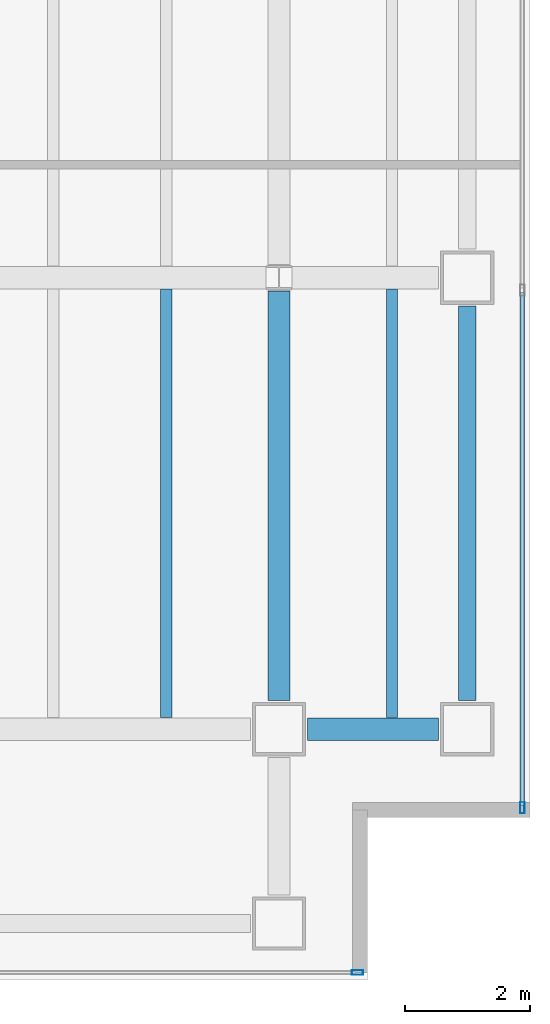
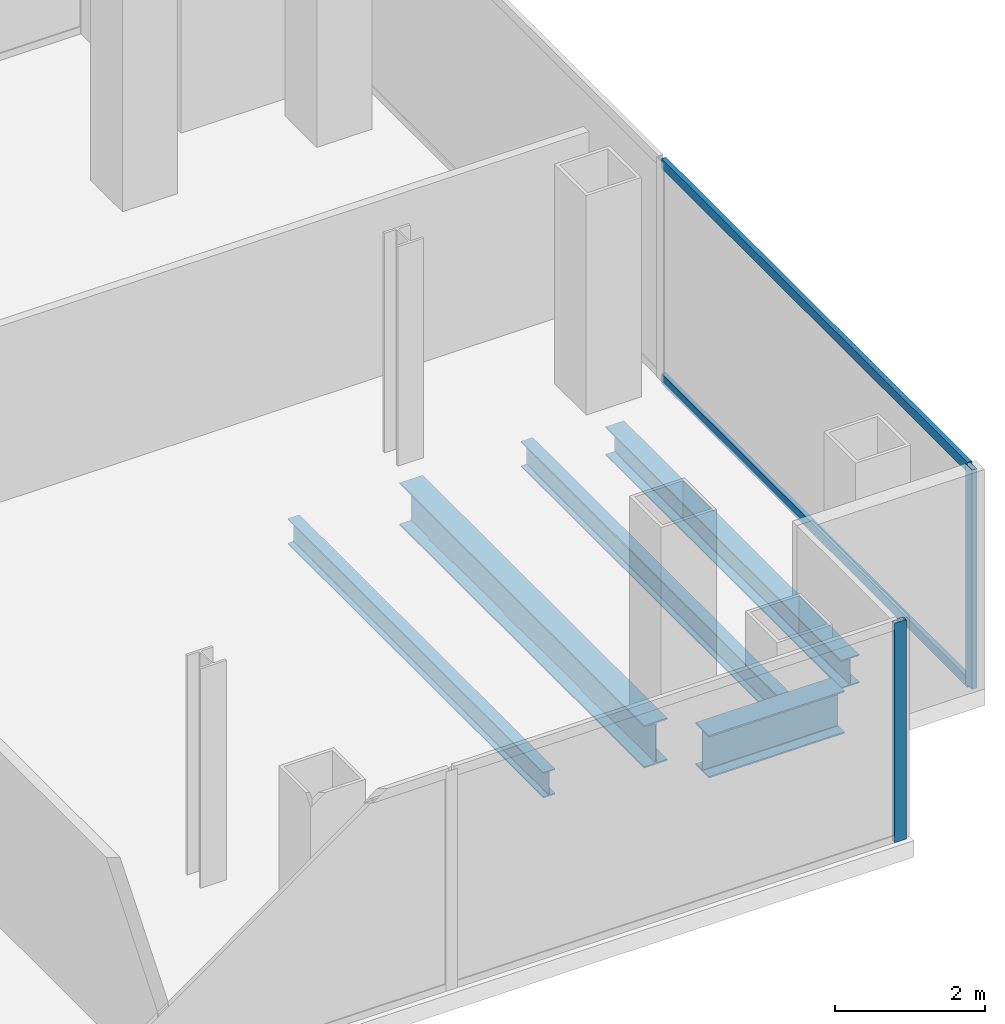
# One storey, part 11 of 23: 5 beams, 4 members, 2 elements without a shape of their own.
"""IFC4 building model written with IfcOpenShell, lengths in metres."""

from ifc_helpers import new_model, si_unit, direction, frame, origin, origin_2d, place, context, subcontext, project, spatial, hollow_rectangle, i_section, extrude, material, material_profile, profile_set, type_object, element, aggregate, save


model = new_model("IFC4")

# Units and contexts
model_context = context("Model", 3, precision=1e-05, world=origin(), true_north=direction((0.0, 1.0)))
body_context = subcontext(model_context, "Body", "Model", "MODEL_VIEW")
ifc_project = project(units=[si_unit("LENGTHUNIT", "METRE"), si_unit("AREAUNIT", "SQUARE_METRE"), si_unit("VOLUMEUNIT", "CUBIC_METRE"), si_unit("PLANEANGLEUNIT", "RADIAN"), si_unit("MASSUNIT", "GRAM", prefix="KILO")], contexts=[model_context])

# Site, building, storey
site_placement = place(None, origin())
site = spatial("IfcSite", under=ifc_project, at=site_placement, CompositionType="ELEMENT")
building_placement = place(site_placement, origin())
building = spatial("IfcBuilding", under=site, at=building_placement, Name="Cobrela Telecom Tower", CompositionType="ELEMENT")
storey_placement = place(building_placement, frame((0.0, 0.0, 148.39990234375)))
storey = spatial("IfcBuildingStorey", under=building, at=storey_placement, Name="L37", CompositionType="ELEMENT", Elevation=148.39990234375)

# Beams
ifc_material_1 = material(Name="Steel ASTM A992 Grade 50", Category="steel")
ifc_material_profile_1 = material_profile(ifc_material_1, i_section(OverallWidth=0.35595703125, OverallDepth=0.696044921875, WebThickness=0.015380859375, FlangeThickness=0.024658203125, FilletRadius=0.01806640625, at=origin_2d()), Name="W27X146")
ifc_profile_set_1 = profile_set([ifc_material_profile_1], Name="Steel ASTM A992 Grade 50")
beam_type_1 = type_object("IfcBeamType", Name="BM-GIRD-05", PredefinedType="USERDEFINED", material=ifc_profile_set_1)
beam_1_placement = place(storey_placement, frame((43.655029296875, 7.199951171875, -0.617919921875), z_axis=(1.0, 0.0, 0.0), x_axis=(0.0, 1.0, 0.0)))
element("IfcBeam", 1, at=beam_1_placement, inside=storey, type_object=beam_type_1, Name="L37 Primary Girder X12", ObjectType="GIRDER", PredefinedType="USERDEFINED", context=body_context, shape_type="SweptSolid", body=[
    extrude(i_section(OverallWidth=0.35595703125, OverallDepth=0.696044921875, WebThickness=0.015380859375, FlangeThickness=0.024658203125, FilletRadius=0.01806640625, at=origin_2d()), origin(), (0.0, 0.0, 1.0), 2.090087890625),
])
beam_2_placement = place(storey_placement, frame((43.199951171875, 7.655029296875, -0.617919921875), z_axis=(0.0, 1.0, 0.0), x_axis=(-1.0, 0.0, 0.0)))
element("IfcBeam", 2, at=beam_2_placement, inside=storey, type_object=beam_type_1, Name="L37 Primary Girder Y53", ObjectType="GIRDER", PredefinedType="USERDEFINED", context=body_context, shape_type="SweptSolid", body=[
    extrude(i_section(OverallWidth=0.35595703125, OverallDepth=0.696044921875, WebThickness=0.015380859375, FlangeThickness=0.024658203125, FilletRadius=0.01806640625, at=origin_2d()), origin(), (0.0, 0.0, 1.0), 6.535400390625),
])
ifc_material_profile_2 = material_profile(ifc_material_1, i_section(OverallWidth=0.179931640625, OverallDepth=0.4169921875, WebThickness=0.010986328125, FlangeThickness=0.01806640625, FilletRadius=0.011962890625, at=origin_2d()), Name="W16X57")
ifc_profile_set_2 = profile_set([ifc_material_profile_2], Name="Steel ASTM A992 Grade 50")
beam_type_2 = type_object("IfcBeamType", Name="BM-JOIST-04", PredefinedType="JOIST", material=ifc_profile_set_2)
for number, where, z_axis, x_axis, name in (
    (3, (41.39990234375, 7.383056640625, -0.478515625), (0.0, 1.0, 0.0), (-1.0, 0.0, 0.0), "L37 Secondary Composite Floor Beam J37"),
    (4, (45.0, 7.383056640625, -0.478515625), (0.0, 1.0, 0.0), (-1.0, 0.0, 0.0), "L37 Secondary Composite Floor Beam J39"),
):
    element("IfcBeam", number, at=place(storey_placement, frame(where, z_axis=z_axis, x_axis=x_axis)), inside=storey, type_object=beam_type_2, Name=name, PredefinedType="JOIST", context=body_context, shape_type="SweptSolid", body=[
        extrude(i_section(OverallWidth=0.179931640625, OverallDepth=0.4169921875, WebThickness=0.010986328125, FlangeThickness=0.01806640625, FilletRadius=0.011962890625, at=origin_2d()), origin(), (0.0, 0.0, 1.0), 6.833984375),
    ])
ifc_material_profile_3 = material_profile(ifc_material_1, i_section(OverallWidth=0.281982421875, OverallDepth=0.467041015625, WebThickness=0.01220703125, FlangeThickness=0.01953125, FilletRadius=0.012939453125, at=origin_2d()), Name="W18X86")
ifc_profile_set_3 = profile_set([ifc_material_profile_3], Name="Steel ASTM A992 Grade 50")
beam_type_3 = type_object("IfcBeamType", Name="BM-SPAND-04", PredefinedType="SPANDREL", material=ifc_profile_set_3)
beam_3_placement = place(storey_placement, frame((46.199951171875, 7.655029296875, -0.50341796875), z_axis=(0.0, 1.0, 0.0), x_axis=(-1.0, 0.0, 0.0)))
element("IfcBeam", 5, at=beam_3_placement, inside=storey, type_object=beam_type_3, Name="L37 Perimeter Spandrel Y55", PredefinedType="SPANDREL", context=body_context, shape_type="SweptSolid", body=[
    extrude(i_section(OverallWidth=0.281982421875, OverallDepth=0.467041015625, WebThickness=0.01220703125, FlangeThickness=0.01953125, FilletRadius=0.012939453125, at=origin_2d()), origin(), (0.0, 0.0, 1.0), 6.2900390625),
])

# Curtain wall, member
ifc_material_2 = material(Name="Anodized Bronze Aluminium 6063-T6", Category="aluminium")
curtain_wall_type = type_object("IfcCurtainWallType", Name="CW-SYS-TEL", PredefinedType="USERDEFINED", material=ifc_material_2)
curtain_wall_1_placement = place(storey_placement, origin())
curtain_wall_1 = element("IfcCurtainWall", 6, at=curtain_wall_1_placement, inside=storey, type_object=curtain_wall_type, Name="L37 Unitised Bronze Curtain Wall 14", ObjectType="UNITISED CURTAIN WALL", PredefinedType="USERDEFINED")
ifc_material_profile_4 = material_profile(ifc_material_2, hollow_rectangle(XDim=0.074951171875, YDim=0.179931640625, WallThickness=0.00390625, at=origin_2d()), Name="ALU 75x180x4")
ifc_profile_set_4 = profile_set([ifc_material_profile_4], Name="Anodized Bronze Aluminium 6063-T6")
member_type_1 = type_object("IfcMemberType", Name="CW-SYS-TEL-MUL", PredefinedType="MULLION", material=ifc_profile_set_4)
member_1_placement = place(storey_placement, frame((47.080078125, 5.947509765625, 0.0), z_axis=(0.0, 0.0, 1.0), x_axis=(1.0, 0.0, 0.0)))
member_1 = element("IfcMember", 7, at=member_1_placement, type_object=member_type_1, Name="CW-TEL mullion 3", PredefinedType="MULLION", context=body_context, shape_type="SweptSolid", body=[
    extrude(hollow_rectangle(XDim=0.074951171875, YDim=0.179931640625, WallThickness=0.00390625, at=origin_2d()), origin(), (0.0, 0.0, 1.0), 3.580078125),
])

curtain_wall_2_placement = place(storey_placement, origin())
curtain_wall_2 = element("IfcCurtainWall", 8, at=curtain_wall_2_placement, inside=storey, type_object=curtain_wall_type, Name="L37 Unitised Bronze Curtain Wall 17", ObjectType="UNITISED CURTAIN WALL", PredefinedType="USERDEFINED")
member_2_placement = place(storey_placement, frame((44.452392578125, 3.320068359375, 0.0), z_axis=(0.0, 0.0, 1.0), x_axis=(0.0, -1.0, 0.0)))
member_2 = element("IfcMember", 9, at=member_2_placement, type_object=member_type_1, Name="CW-TEL mullion 1", PredefinedType="MULLION", context=body_context, shape_type="SweptSolid", body=[
    extrude(hollow_rectangle(XDim=0.074951171875, YDim=0.179931640625, WallThickness=0.00390625, at=origin_2d()), origin(), (0.0, 0.0, 1.0), 3.580078125),
])
aggregate(curtain_wall_2, [member_2])

# Member
ifc_material_profile_5 = material_profile(ifc_material_2, hollow_rectangle(XDim=0.070068359375, YDim=0.159912109375, WallThickness=0.00390625, at=origin_2d()), Name="ALU 70x160x4")
ifc_profile_set_5 = profile_set([ifc_material_profile_5], Name="Anodized Bronze Aluminium 6063-T6")
member_type_2 = type_object("IfcMemberType", Name="CW-SYS-TEL-TRN", PredefinedType="USERDEFINED", material=ifc_profile_set_5)
member_3_placement = place(storey_placement, frame((47.080078125, 14.16259765625, 0.03515625), z_axis=(0.0, -1.0, 0.0), x_axis=(1.0, 0.0, 0.0)))
member_3 = element("IfcMember", 10, at=member_3_placement, type_object=member_type_2, Name="CW-TEL transom 2.1", ObjectType="TRANSOM", PredefinedType="USERDEFINED", context=body_context, shape_type="SweptSolid", body=[
    extrude(hollow_rectangle(XDim=0.070068359375, YDim=0.159912109375, WallThickness=0.00390625, at=origin_2d()), origin(), (0.0, 0.0, 1.0), 8.177490234375),
])

member_4_placement = place(storey_placement, frame((47.080078125, 14.16259765625, 3.545166015625), z_axis=(0.0, -1.0, 0.0), x_axis=(1.0, 0.0, 0.0)))
member_4 = element("IfcMember", 11, at=member_4_placement, type_object=member_type_2, Name="CW-TEL transom 2.2", ObjectType="TRANSOM", PredefinedType="USERDEFINED", context=body_context, shape_type="SweptSolid", body=[
    extrude(hollow_rectangle(XDim=0.070068359375, YDim=0.159912109375, WallThickness=0.00390625, at=origin_2d()), origin(), (0.0, 0.0, 1.0), 8.177490234375),
])

aggregate(curtain_wall_1, [member_1, member_3, member_4])

save(model, "model.ifc")
